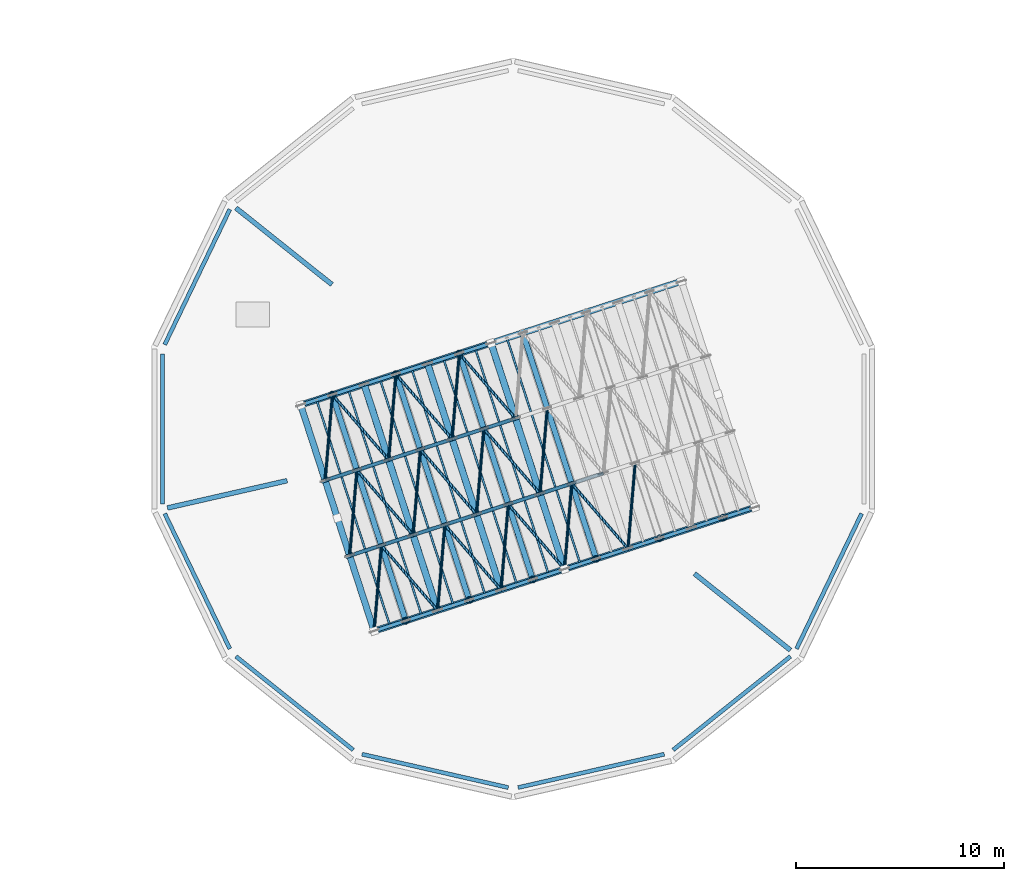
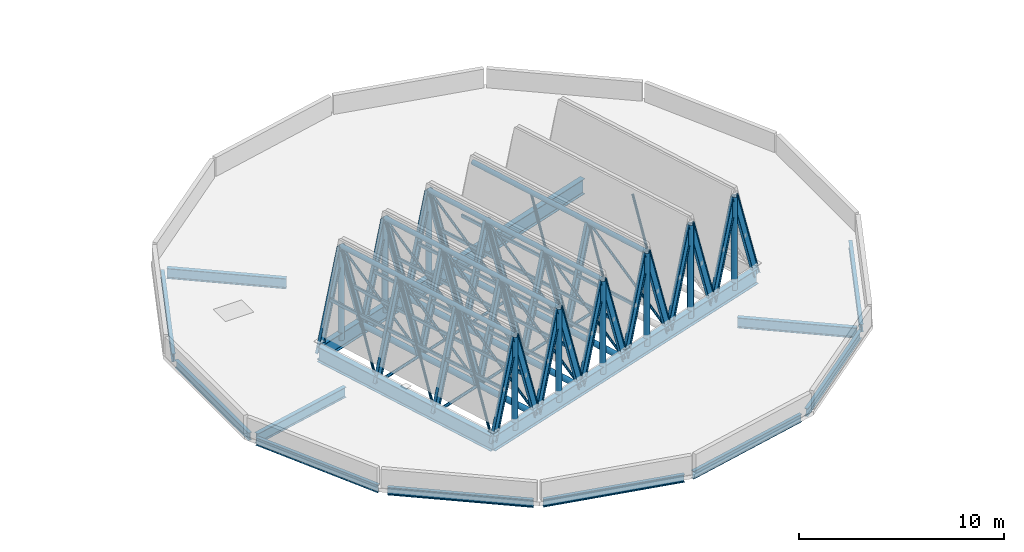
# One storey, part 8 of 51: 83 members, 14 beams.
"""IFC4 building model written with IfcOpenShell, lengths in metres."""

from ifc_helpers import new_model, si_unit, direction, frame, origin, origin_2d, place, context, subcontext, project, spatial, hollow_rectangle, hollow_circle, i_section, extrude, material, material_profile, profile_set, type_object, element, save


model = new_model("IFC4")

# Units and contexts
model_context = context("Model", 3, precision=1e-05, world=origin(), true_north=direction((0.0, 1.0)))
body_context = subcontext(model_context, "Body", "Model", "MODEL_VIEW")
ifc_project = project(units=[si_unit("LENGTHUNIT", "METRE"), si_unit("AREAUNIT", "SQUARE_METRE"), si_unit("VOLUMEUNIT", "CUBIC_METRE"), si_unit("PLANEANGLEUNIT", "RADIAN"), si_unit("MASSUNIT", "GRAM", prefix="KILO")], contexts=[model_context])

# Site, building, storey
site_placement = place(None, origin())
site = spatial("IfcSite", under=ifc_project, at=site_placement, CompositionType="ELEMENT")
building_placement = place(site_placement, origin())
building = spatial("IfcBuilding", under=site, at=building_placement, Name="Wrenclough Park School", CompositionType="ELEMENT")
storey_placement = place(building_placement, frame((0.0, 0.0, 16.800048828125)))
storey = spatial("IfcBuildingStorey", under=building, at=storey_placement, Name="L04", CompositionType="ELEMENT", Elevation=16.800048828125)

# Beams
ifc_material = material(Name="Structural steel S355", Category="steel")
ifc_material_profile_1 = material_profile(ifc_material, i_section(OverallWidth=0.19140625, OverallDepth=0.4599609375, WebThickness=0.010009765625, FlangeThickness=0.01611328125, FilletRadius=0.01025390625, at=origin_2d()), Name="UKB 457x191x82")
ifc_profile_set_1 = profile_set([ifc_material_profile_1], Name="Structural steel S355")
beam_type_1 = type_object("IfcBeamType", Name="STR-BM-UKB457B", PredefinedType="SPANDREL", material=ifc_profile_set_1)
beam_1_placement = place(storey_placement, frame((22.9091796875, 34.0390625, -0.455078125), z_axis=(-0.433866614901, -0.90097711429, 0.0), x_axis=(0.90097711429, -0.433866614901, 0.0)))
element("IfcBeam", 1, at=beam_1_placement, inside=storey, type_object=beam_type_1, Name="D2 L04 outer ring spandrel beam 6", PredefinedType="SPANDREL", context=body_context, shape_type="SweptSolid", body=[
    extrude(i_section(OverallWidth=0.19140625, OverallDepth=0.4599609375, WebThickness=0.010009765625, FlangeThickness=0.01611328125, FilletRadius=0.01025390625, at=origin_2d()), origin(), (0.0, 0.0, 1.0), 7.197021484375),
])
beam_2_placement = place(storey_placement, frame((19.6826171875, 27.098388671875, -0.455078125), z_axis=(0.0, -1.0, 0.0), x_axis=(1.0, 0.0, 0.0)))
element("IfcBeam", 2, at=beam_2_placement, inside=storey, type_object=beam_type_1, Name="D2 L04 outer ring spandrel beam 7", PredefinedType="SPANDREL", context=body_context, shape_type="SweptSolid", body=[
    extrude(i_section(OverallWidth=0.19140625, OverallDepth=0.4599609375, WebThickness=0.010009765625, FlangeThickness=0.01611328125, FilletRadius=0.01025390625, at=origin_2d()), origin(), (0.0, 0.0, 1.0), 7.19677734375),
])
for number, where, z_axis, x_axis, name in (
    (3, (19.78662109375, 19.4453125, -0.455078125), (0.433866614901, -0.90097711429, 0.0), (0.90097711429, 0.433866614901, 0.0), "D2 L04 outer ring spandrel beam 8"),
    (4, (23.200927734375, 12.59521484375, -0.455078125), (0.781834238424, -0.623486345984, 0.0), (0.623486345984, 0.781834238424, 0.0), "D2 L04 outer ring spandrel beam 9"),
    (5, (29.24951171875, 7.90478515625, -0.455078125), (0.974933191805, -0.22249780115, 0.0), (0.22249780115, 0.974933191805, 0.0), "D2 L04 outer ring spandrel beam 10"),
    (6, (36.73388671875, 6.303466796875, -0.455078125), (0.974933191805, 0.22249780115, 0.0), (-0.22249780115, 0.974933191805, 0.0), "D2 L04 outer ring spandrel beam 11"),
    (7, (44.172119140625, 8.10791015625, -0.455078125), (0.781834238424, 0.623486345984, 0.0), (-0.623486345984, 0.781834238424, 0.0), "D2 L04 outer ring spandrel beam 12"),
    (8, (50.0908203125, 12.9609375, -0.455078125), (0.433866614901, 0.90097711429, 0.0), (-0.90097711429, 0.433866614901, 0.0), "D2 L04 outer ring spandrel beam 13"),
):
    element("IfcBeam", number, at=place(storey_placement, frame(where, z_axis=z_axis, x_axis=x_axis)), inside=storey, type_object=beam_type_1, Name=name, PredefinedType="SPANDREL", context=body_context, shape_type="SweptSolid", body=[
        extrude(i_section(OverallWidth=0.19140625, OverallDepth=0.4599609375, WebThickness=0.010009765625, FlangeThickness=0.01611328125, FilletRadius=0.01025390625, at=origin_2d()), origin(), (0.0, 0.0, 1.0), 7.197021484375),
    ])
ifc_material_profile_2 = material_profile(ifc_material, i_section(OverallWidth=0.22900390625, OverallDepth=0.6123046875, WebThickness=0.011962890625, FlangeThickness=0.01953125, FilletRadius=0.0126953125, at=origin_2d()), Name="UKB 610x229x125")
ifc_profile_set_2 = profile_set([ifc_material_profile_2], Name="Structural steel S355")
beam_type_2 = type_object("IfcBeamType", Name="STR-BM-UKB610", PredefinedType="BEAM", material=ifc_profile_set_2)
beam_3_placement = place(storey_placement, frame((23.200927734375, 34.105712890625, -0.53125), z_axis=(0.781834680405, -0.623485791751, 0.0), x_axis=(0.623485791751, 0.781834680405, 0.0)))
element("IfcBeam", 9, at=beam_3_placement, inside=storey, type_object=beam_type_2, Name="D2 L04 radial girder 6", PredefinedType="BEAM", context=body_context, shape_type="SweptSolid", body=[
    extrude(i_section(OverallWidth=0.22900390625, OverallDepth=0.6123046875, WebThickness=0.011962890625, FlangeThickness=0.01953125, FilletRadius=0.0126953125, at=origin_2d()), origin(), (0.0, 0.0, 1.0), 5.88818359375),
])
beam_4_placement = place(storey_placement, frame((19.91650390625, 19.715087890625, -0.53125), z_axis=(0.974932055096, 0.222502781884, 0.0), x_axis=(-0.222502781884, 0.974932055096, 0.0)))
element("IfcBeam", 10, at=beam_4_placement, inside=storey, type_object=beam_type_2, Name="D2 L04 radial girder 8", PredefinedType="BEAM", context=body_context, shape_type="SweptSolid", body=[
    extrude(i_section(OverallWidth=0.22900390625, OverallDepth=0.6123046875, WebThickness=0.011962890625, FlangeThickness=0.01953125, FilletRadius=0.0126953125, at=origin_2d()), origin(), (0.0, 0.0, 1.0), 5.887939453125),
])
beam_5_placement = place(storey_placement, frame((49.799072265625, 12.894287109375, -0.53125), z_axis=(-0.781834680405, 0.623485791751, 0.0), x_axis=(-0.623485791751, -0.781834680405, 0.0)))
element("IfcBeam", 11, at=beam_5_placement, inside=storey, type_object=beam_type_2, Name="D2 L04 radial girder 13", PredefinedType="BEAM", context=body_context, shape_type="SweptSolid", body=[
    extrude(i_section(OverallWidth=0.22900390625, OverallDepth=0.6123046875, WebThickness=0.011962890625, FlangeThickness=0.01953125, FilletRadius=0.0126953125, at=origin_2d()), origin(), (0.0, 0.0, 1.0), 5.88818359375),
])
ifc_material_profile_3 = material_profile(ifc_material, i_section(OverallWidth=0.30419921875, OverallDepth=0.910400390625, WebThickness=0.015869140625, FlangeThickness=0.02392578125, FilletRadius=0.01904296875, at=origin_2d()), Name="UKB 914x305x224")
ifc_profile_set_3 = profile_set([ifc_material_profile_3], Name="Structural steel S355")
beam_type_3 = type_object("IfcBeamType", Name="STR-BM-UKB914", PredefinedType="BEAM", material=ifc_profile_set_3)
beam_6_placement = place(storey_placement, frame((29.831298828125, 13.8125, -0.68017578125), z_axis=(0.951056679828, 0.309016491071, 0.0), x_axis=(-0.309016491071, 0.951056679828, 0.0)))
element("IfcBeam", 12, at=beam_6_placement, inside=storey, type_object=beam_type_3, Name="D2 folded-plate roof ring beam 1", PredefinedType="BEAM", context=body_context, shape_type="SweptSolid", body=[
    extrude(i_section(OverallWidth=0.30419921875, OverallDepth=0.910400390625, WebThickness=0.015869140625, FlangeThickness=0.02392578125, FilletRadius=0.01904296875, at=origin_2d()), origin(), (0.0, 0.0, 1.0), 19.199951171875),
])
beam_7_placement = place(storey_placement, frame((44.568603515625, 30.587646484375, -0.68017578125), z_axis=(-0.951055465571, -0.309020228154, 0.0), x_axis=(0.309020228154, -0.951055465571, 0.0)))
element("IfcBeam", 13, at=beam_7_placement, inside=storey, type_object=beam_type_3, Name="D2 folded-plate roof ring beam 3", PredefinedType="BEAM", context=body_context, shape_type="SweptSolid", body=[
    extrude(i_section(OverallWidth=0.30419921875, OverallDepth=0.910400390625, WebThickness=0.015869140625, FlangeThickness=0.02392578125, FilletRadius=0.01904296875, at=origin_2d()), origin(), (0.0, 0.0, 1.0), 19.19970703125),
])
beam_8_placement = place(storey_placement, frame((26.30859375, 24.654541015625, -0.68017578125), z_axis=(0.309010044294, -0.951058774485, 0.0), x_axis=(0.951058774485, 0.309010044294, 0.0)))
element("IfcBeam", 14, at=beam_8_placement, inside=storey, type_object=beam_type_3, Name="D2 folded-plate roof ring beam 4", PredefinedType="BEAM", context=body_context, shape_type="SweptSolid", body=[
    extrude(i_section(OverallWidth=0.30419921875, OverallDepth=0.910400390625, WebThickness=0.015869140625, FlangeThickness=0.02392578125, FilletRadius=0.01904296875, at=origin_2d()), origin(), (0.0, 0.0, 1.0), 11.39990234375),
])

# Members
ifc_material_profile_4 = material_profile(ifc_material, hollow_circle(Radius=0.06982421875, WallThickness=0.008056640625, at=origin_2d()), Name="CHS 139.7x8.0")
ifc_profile_set_4 = profile_set([ifc_material_profile_4], Name="Structural steel S355")
member_type_1 = type_object("IfcMemberType", Name="STR-MEM-BRACE1", PredefinedType="BRACE", material=ifc_profile_set_4)
for number, where, z_axis, x_axis, name in (
    (15, (29.831298828125, 13.8125, -0.68017578125), (0.050334999877, 0.595247630309, 0.801964242594), (-0.996443741804, 0.084260722878, 0.0), "D2 folded-plane diagonal brace 1.1L"),
    (16, (32.87451171875, 14.80126953125, -0.68017578125), (-0.390583466945, 0.451990177561, 0.801965981035), (-0.756633912407, -0.653838758866, 0.0), "D2 folded-plane diagonal brace 1.1R"),
    (17, (28.656982421875, 17.426513671875, -0.68017578125), (0.050334999877, 0.595247630309, 0.801964242594), (-0.996443741804, 0.084260722878, 0.0), "D2 folded-plane diagonal brace 1.2L"),
    (18, (31.700439453125, 18.415283203125, -0.68017578125), (-0.390613442581, 0.451983932745, 0.801954900861), (-0.756604618734, -0.653872656494, 0.0), "D2 folded-plane diagonal brace 1.2R"),
    (19, (27.482666015625, 21.040283203125, -0.68017578125), (0.050333940057, 0.595270468882, 0.801947356973), (-0.996444162174, 0.084255751546, 0.0), "D2 folded-plane diagonal brace 1.3L"),
    (20, (30.526123046875, 22.029296875, -0.68017578125), (-0.390613442581, 0.451983932745, 0.801954900861), (-0.756604618734, -0.653872656494, 0.0), "D2 folded-plane diagonal brace 1.3R"),
    (21, (32.87451171875, 14.80126953125, -0.68017578125), (0.050370282615, 0.595246570118, 0.801962814221), (-0.996438768471, 0.084319515468, 0.0), "D2 folded-plane diagonal brace 2.1L"),
    (22, (35.91796875, 15.7900390625, -0.68017578125), (-0.390583466945, 0.451990177561, 0.801965981035), (-0.756633912407, -0.653838758866, 0.0), "D2 folded-plane diagonal brace 2.1R"),
    (23, (31.700439453125, 18.415283203125, -0.68017578125), (0.050334999877, 0.595247630309, 0.801964242594), (-0.996443741804, 0.084260722878, 0.0), "D2 folded-plane diagonal brace 2.2L"),
    (24, (34.743896484375, 19.404052734375, -0.68017578125), (-0.390613442581, 0.451983932745, 0.801954900861), (-0.756604618734, -0.653872656494, 0.0), "D2 folded-plane diagonal brace 2.2R"),
    (25, (30.526123046875, 22.029296875, -0.68017578125), (0.050334999877, 0.595247630309, 0.801964242594), (-0.996443741804, 0.084260722878, 0.0), "D2 folded-plane diagonal brace 2.3L"),
):
    element("IfcMember", number, at=place(storey_placement, frame(where, z_axis=z_axis, x_axis=x_axis)), inside=storey, type_object=member_type_1, Name=name, PredefinedType="BRACE", context=body_context, shape_type="SweptSolid", body=[
        extrude(hollow_circle(Radius=0.06982421875, WallThickness=0.008056640625, at=origin_2d()), origin(), (0.0, 0.0, 1.0), 6.902099609375),
    ])
member_1_placement = place(storey_placement, frame((33.569580078125, 23.018310546875, -0.68017578125), z_axis=(-0.390619687456, 0.451955786165, 0.801967721996), x_axis=(-0.756579301186, -0.653901950614, 0.0)))
element("IfcMember", 26, at=member_1_placement, inside=storey, type_object=member_type_1, Name="D2 folded-plane diagonal brace 2.3R", PredefinedType="BRACE", context=body_context, shape_type="SweptSolid", body=[
    extrude(hollow_circle(Radius=0.06982421875, WallThickness=0.008056640625, at=origin_2d()), origin(), (0.0, 0.0, 1.0), 6.90185546875),
])
for number, where, z_axis, x_axis, name in (
    (27, (35.91796875, 15.7900390625, -0.68017578125), (0.050333940057, 0.595270468882, 0.801947356973), (-0.996444162174, 0.084255751546, 0.0), "D2 folded-plane diagonal brace 3.1L"),
    (28, (38.96142578125, 16.779052734375, -0.68017578125), (-0.390613442581, 0.451983932745, 0.801954900861), (-0.756604618734, -0.653872656494, 0.0), "D2 folded-plane diagonal brace 3.1R"),
    (29, (34.743896484375, 19.404052734375, -0.68017578125), (0.050333940057, 0.595270468882, 0.801947356973), (-0.996444162174, 0.084255751546, 0.0), "D2 folded-plane diagonal brace 3.2L"),
    (30, (37.787109375, 20.39306640625, -0.68017578125), (-0.390583466945, 0.451990177561, 0.801965981035), (-0.756633912407, -0.653838758866, 0.0), "D2 folded-plane diagonal brace 3.2R"),
    (31, (33.569580078125, 23.018310546875, -0.68017578125), (0.050334999877, 0.595247630309, 0.801964242594), (-0.996443741804, 0.084260722878, 0.0), "D2 folded-plane diagonal brace 3.3L"),
    (32, (36.61279296875, 24.007080078125, -0.68017578125), (-0.390583466945, 0.451990177561, 0.801965981035), (-0.756633912407, -0.653838758866, 0.0), "D2 folded-plane diagonal brace 3.3R"),
    (33, (38.96142578125, 16.779052734375, -0.68017578125), (0.050334999877, 0.595247630309, 0.801964242594), (-0.996443741804, 0.084260722878, 0.0), "D2 folded-plane diagonal brace 4.1L"),
    (34, (42.0048828125, 17.767822265625, -0.68017578125), (-0.390613442581, 0.451983932745, 0.801954900861), (-0.756604618734, -0.653872656494, 0.0), "D2 folded-plane diagonal brace 4.1R"),
    (35, (37.787109375, 20.39306640625, -0.68017578125), (0.050334999877, 0.595247630309, 0.801964242594), (-0.996443741804, 0.084260722878, 0.0), "D2 folded-plane diagonal brace 4.2L"),
    (36, (42.0048828125, 17.767822265625, -0.68017578125), (0.050334999877, 0.595247630309, 0.801964242594), (-0.996443741804, 0.084260722878, 0.0), "D2 folded-plane diagonal brace 5.1L"),
):
    element("IfcMember", number, at=place(storey_placement, frame(where, z_axis=z_axis, x_axis=x_axis)), inside=storey, type_object=member_type_1, Name=name, PredefinedType="BRACE", context=body_context, shape_type="SweptSolid", body=[
        extrude(hollow_circle(Radius=0.06982421875, WallThickness=0.008056640625, at=origin_2d()), origin(), (0.0, 0.0, 1.0), 6.902099609375),
    ])
ifc_material_profile_5 = material_profile(ifc_material, hollow_circle(Radius=0.084228515625, WallThickness=0.010009765625, at=origin_2d()), Name="CHS 168.3x10.0")
ifc_profile_set_5 = profile_set([ifc_material_profile_5], Name="Structural steel S355")
member_type_2 = type_object("IfcMemberType", Name="STR-MEM-BRACE2", PredefinedType="BRACE", material=ifc_profile_set_5)
member_2_placement = place(storey_placement, frame((28.656982421875, 17.426513671875, -0.68017578125), z_axis=(0.951066581729, 0.308986014439, 0.0), x_axis=(-0.308986014439, 0.951066581729, 0.0)))
element("IfcMember", 37, at=member_2_placement, inside=storey, type_object=member_type_2, Name="D2 bay 1 frame 2 tie member", PredefinedType="BRACE", context=body_context, shape_type="SweptSolid", body=[
    extrude(hollow_circle(Radius=0.084228515625, WallThickness=0.010009765625, at=origin_2d()), origin(), (0.0, 0.0, 1.0), 3.199951171875),
])
member_3_placement = place(storey_placement, frame((27.482666015625, 21.040283203125, -0.68017578125), z_axis=(0.95104415986, 0.309055020985, 0.0), x_axis=(-0.309055020985, 0.95104415986, 0.0)))
element("IfcMember", 38, at=member_3_placement, inside=storey, type_object=member_type_2, Name="D2 bay 1 frame 3 tie member", PredefinedType="BRACE", context=body_context, shape_type="SweptSolid", body=[
    extrude(hollow_circle(Radius=0.084228515625, WallThickness=0.010009765625, at=origin_2d()), origin(), (0.0, 0.0, 1.0), 3.2001953125),
])
member_4_placement = place(storey_placement, frame((31.700439453125, 18.415283203125, -0.68017578125), z_axis=(0.951066581729, 0.308986014439, 0.0), x_axis=(-0.308986014439, 0.951066581729, 0.0)))
element("IfcMember", 39, at=member_4_placement, inside=storey, type_object=member_type_2, Name="D2 bay 2 frame 2 tie member", PredefinedType="BRACE", context=body_context, shape_type="SweptSolid", body=[
    extrude(hollow_circle(Radius=0.084228515625, WallThickness=0.010009765625, at=origin_2d()), origin(), (0.0, 0.0, 1.0), 3.199951171875),
])
member_5_placement = place(storey_placement, frame((30.526123046875, 22.029296875, -0.68017578125), z_axis=(0.95104415986, 0.309055020985, 0.0), x_axis=(-0.309055020985, 0.95104415986, 0.0)))
element("IfcMember", 40, at=member_5_placement, inside=storey, type_object=member_type_2, Name="D2 bay 2 frame 3 tie member", PredefinedType="BRACE", context=body_context, shape_type="SweptSolid", body=[
    extrude(hollow_circle(Radius=0.084228515625, WallThickness=0.010009765625, at=origin_2d()), origin(), (0.0, 0.0, 1.0), 3.2001953125),
])
member_6_placement = place(storey_placement, frame((34.743896484375, 19.404052734375, -0.68017578125), z_axis=(0.951036872128, 0.309077446369, 0.0), x_axis=(-0.309077446369, 0.951036872128, 0.0)))
element("IfcMember", 41, at=member_6_placement, inside=storey, type_object=member_type_2, Name="D2 bay 3 frame 2 tie member", PredefinedType="BRACE", context=body_context, shape_type="SweptSolid", body=[
    extrude(hollow_circle(Radius=0.084228515625, WallThickness=0.010009765625, at=origin_2d()), origin(), (0.0, 0.0, 1.0), 3.199951171875),
])
member_7_placement = place(storey_placement, frame((33.569580078125, 23.018310546875, -0.68017578125), z_axis=(0.951059297078, 0.309008435874, 0.0), x_axis=(-0.309008435874, 0.951059297078, 0.0)))
element("IfcMember", 42, at=member_7_placement, inside=storey, type_object=member_type_2, Name="D2 bay 3 frame 3 tie member", PredefinedType="BRACE", context=body_context, shape_type="SweptSolid", body=[
    extrude(hollow_circle(Radius=0.084228515625, WallThickness=0.010009765625, at=origin_2d()), origin(), (0.0, 0.0, 1.0), 3.19970703125),
])
member_8_placement = place(storey_placement, frame((37.787109375, 20.39306640625, -0.68017578125), z_axis=(0.951066581729, 0.308986014439, 0.0), x_axis=(-0.308986014439, 0.951066581729, 0.0)))
element("IfcMember", 43, at=member_8_placement, inside=storey, type_object=member_type_2, Name="D2 bay 4 frame 2 tie member", PredefinedType="BRACE", context=body_context, shape_type="SweptSolid", body=[
    extrude(hollow_circle(Radius=0.084228515625, WallThickness=0.010009765625, at=origin_2d()), origin(), (0.0, 0.0, 1.0), 3.199951171875),
])
ifc_material_profile_6 = material_profile(ifc_material, hollow_circle(Radius=0.136474609375, WallThickness=0.012451171875, at=origin_2d()), Name="CHS 273.0x12.5")
ifc_profile_set_6 = profile_set([ifc_material_profile_6], Name="Structural steel S355")
member_type_3 = type_object("IfcMemberType", Name="STR-MEM-CHORD1", PredefinedType="CHORD", material=ifc_profile_set_6)
for number, where, z_axis, x_axis, name in (
    (44, (31.352783203125, 14.306884765625, 4.85498046875), (-0.309010044294, 0.951058774485, 0.0), (-0.951058774485, -0.309010044294, 0.0), "D2 folded-plate ridge chord 1"),
    (45, (34.396240234375, 15.295654296875, 4.85498046875), (-0.309010044294, 0.951058774485, 0.0), (-0.951058774485, -0.309010044294, 0.0), "D2 folded-plate ridge chord 2"),
    (46, (37.439697265625, 16.28466796875, 4.85498046875), (-0.309010044294, 0.951058774485, 0.0), (-0.951058774485, -0.309010044294, 0.0), "D2 folded-plate ridge chord 3"),
):
    element("IfcMember", number, at=place(storey_placement, frame(where, z_axis=z_axis, x_axis=x_axis)), inside=storey, type_object=member_type_3, Name=name, PredefinedType="CHORD", context=body_context, shape_type="SweptSolid", body=[
        extrude(hollow_circle(Radius=0.136474609375, WallThickness=0.012451171875, at=origin_2d()), origin(), (0.0, 0.0, 1.0), 11.39990234375),
    ])
member_9_placement = place(storey_placement, frame((40.483154296875, 17.2734375, 4.85498046875), z_axis=(-0.309029415059, 0.951052480481, 0.0), x_axis=(-0.951052480481, -0.309029415059, 0.0)))
element("IfcMember", 47, at=member_9_placement, inside=storey, type_object=member_type_3, Name="D2 folded-plate ridge chord 4", PredefinedType="CHORD", context=body_context, shape_type="SweptSolid", body=[
    extrude(hollow_circle(Radius=0.136474609375, WallThickness=0.012451171875, at=origin_2d()), origin(), (0.0, 0.0, 1.0), 11.400146484375),
])
ifc_material_profile_7 = material_profile(ifc_material, hollow_circle(Radius=0.161865234375, WallThickness=0.01611328125, at=origin_2d()), Name="CHS 323.9x16.0")
ifc_profile_set_7 = profile_set([ifc_material_profile_7], Name="Structural steel S355")
member_type_4 = type_object("IfcMemberType", Name="STR-MEM-CHORD2", PredefinedType="CHORD", material=ifc_profile_set_7)
for number, where, z_axis, x_axis, name in (
    (48, (32.87451171875, 14.80126953125, -0.68017578125), (-0.309010044294, 0.951058774485, 0.0), (-0.951058774485, -0.309010044294, 0.0), "D2 folded-plate valley chord 1"),
    (49, (35.91796875, 15.7900390625, -0.68017578125), (-0.309010044294, 0.951058774485, 0.0), (-0.951058774485, -0.309010044294, 0.0), "D2 folded-plate valley chord 2"),
    (50, (38.96142578125, 16.779052734375, -0.68017578125), (-0.309010044294, 0.951058774485, 0.0), (-0.951058774485, -0.309010044294, 0.0), "D2 folded-plate valley chord 3"),
):
    element("IfcMember", number, at=place(storey_placement, frame(where, z_axis=z_axis, x_axis=x_axis)), inside=storey, type_object=member_type_4, Name=name, PredefinedType="CHORD", context=body_context, shape_type="SweptSolid", body=[
        extrude(hollow_circle(Radius=0.161865234375, WallThickness=0.01611328125, at=origin_2d()), origin(), (0.0, 0.0, 1.0), 11.39990234375),
    ])
for number, where, z_axis, x_axis, name in (
    (51, (31.352783203125, 14.306884765625, -0.68017578125), (0.0, 0.0, 1.0), (1.0, 0.0, 0.0), "D2 folded-plate gable king-post 1S"),
    (52, (27.830078125, 25.14892578125, -0.68017578125), (0.0, 0.0, 1.0), (1.0, 0.0, 0.0), "D2 folded-plate gable king-post 1N"),
    (53, (34.396240234375, 15.295654296875, -0.68017578125), (0.0, 0.0, 1.0), (1.0, 0.0, 0.0), "D2 folded-plate gable king-post 2S"),
    (54, (30.87353515625, 26.1376953125, -0.68017578125), (0.0, 0.0, 1.0), (1.0, 0.0, 0.0), "D2 folded-plate gable king-post 2N"),
    (55, (37.439697265625, 16.28466796875, -0.68017578125), (0.0, 0.0, 1.0), (1.0, 0.0, 0.0), "D2 folded-plate gable king-post 3S"),
    (56, (33.9169921875, 27.126708984375, -0.68017578125), (0.0, 0.0, 1.0), (1.0, 0.0, 0.0), "D2 folded-plate gable king-post 3N"),
    (57, (40.483154296875, 17.2734375, -0.68017578125), (0.0, 0.0, 1.0), (1.0, 0.0, 0.0), "D2 folded-plate gable king-post 4S"),
    (58, (43.526611328125, 18.26220703125, -0.68017578125), (0.0, 0.0, 1.0), (1.0, 0.0, 0.0), "D2 folded-plate gable king-post 5S"),
    (59, (46.56982421875, 19.251220703125, -0.68017578125), (0.0, 0.0, 1.0), (1.0, 0.0, 0.0), "D2 folded-plate gable king-post 6S"),
):
    element("IfcMember", number, at=place(storey_placement, frame(where, z_axis=z_axis, x_axis=x_axis)), inside=storey, type_object=member_type_4, Name=name, PredefinedType="CHORD", context=body_context, shape_type="SweptSolid", body=[
        extrude(hollow_circle(Radius=0.161865234375, WallThickness=0.01611328125, at=origin_2d()), origin(), (0.0, 0.0, 1.0), 5.53515625),
    ])
ifc_material_profile_8 = material_profile(ifc_material, hollow_rectangle(XDim=0.10009765625, YDim=0.199951171875, WallThickness=0.008056640625, InnerFilletRadius=0.008056640625, OuterFilletRadius=0.011962890625, at=origin_2d()), Name="RHS 200x100x8.0")
ifc_profile_set_8 = profile_set([ifc_material_profile_8], Name="Structural steel S355")
member_type_5 = type_object("IfcMemberType", Name="STR-MEM-PURLIN2", PredefinedType="PURLIN", material=ifc_profile_set_8)
member_10_placement = place(storey_placement, frame((30.592041015625, 14.0595703125, 2.08740234375), z_axis=(-0.309010044294, 0.951058774485, 0.0), x_axis=(-0.951058774485, -0.309010044294, 0.0)))
element("IfcMember", 60, at=member_10_placement, inside=storey, type_object=member_type_5, Name="D2 folded-plate purlin 1L", PredefinedType="PURLIN", context=body_context, shape_type="SweptSolid", body=[
    extrude(hollow_rectangle(XDim=0.10009765625, YDim=0.199951171875, WallThickness=0.008056640625, InnerFilletRadius=0.008056640625, OuterFilletRadius=0.011962890625, at=origin_2d()), origin(), (0.0, 0.0, 1.0), 11.39990234375),
])
for number, where, z_axis, x_axis, name in (
    (61, (32.11376953125, 14.55419921875, 2.08740234375), (-0.309016338264, 0.951056729478, 0.0), (-0.951056729478, -0.309016338264, 0.0), "D2 folded-plate purlin 1R"),
    (62, (33.635498046875, 15.048583984375, 2.08740234375), (-0.309016338264, 0.951056729478, 0.0), (-0.951056729478, -0.309016338264, 0.0), "D2 folded-plate purlin 2L"),
):
    element("IfcMember", number, at=place(storey_placement, frame(where, z_axis=z_axis, x_axis=x_axis)), inside=storey, type_object=member_type_5, Name=name, PredefinedType="PURLIN", context=body_context, shape_type="SweptSolid", body=[
        extrude(hollow_rectangle(XDim=0.10009765625, YDim=0.199951171875, WallThickness=0.008056640625, InnerFilletRadius=0.008056640625, OuterFilletRadius=0.011962890625, at=origin_2d()), origin(), (0.0, 0.0, 1.0), 11.399658203125),
    ])
member_11_placement = place(storey_placement, frame((35.1572265625, 15.54296875, 2.08740234375), z_axis=(-0.309010044294, 0.951058774485, 0.0), x_axis=(-0.951058774485, -0.309010044294, 0.0)))
element("IfcMember", 63, at=member_11_placement, inside=storey, type_object=member_type_5, Name="D2 folded-plate purlin 2R", PredefinedType="PURLIN", context=body_context, shape_type="SweptSolid", body=[
    extrude(hollow_rectangle(XDim=0.10009765625, YDim=0.199951171875, WallThickness=0.008056640625, InnerFilletRadius=0.008056640625, OuterFilletRadius=0.011962890625, at=origin_2d()), origin(), (0.0, 0.0, 1.0), 11.39990234375),
])
for number, where, z_axis, x_axis, name in (
    (64, (36.678955078125, 16.037353515625, 2.08740234375), (-0.309029415059, 0.951052480481, 0.0), (-0.951052480481, -0.309029415059, 0.0), "D2 folded-plate purlin 3L"),
    (65, (38.20068359375, 16.53173828125, 2.08740234375), (-0.309029415059, 0.951052480481, 0.0), (-0.951052480481, -0.309029415059, 0.0), "D2 folded-plate purlin 3R"),
):
    element("IfcMember", number, at=place(storey_placement, frame(where, z_axis=z_axis, x_axis=x_axis)), inside=storey, type_object=member_type_5, Name=name, PredefinedType="PURLIN", context=body_context, shape_type="SweptSolid", body=[
        extrude(hollow_rectangle(XDim=0.10009765625, YDim=0.199951171875, WallThickness=0.008056640625, InnerFilletRadius=0.008056640625, OuterFilletRadius=0.011962890625, at=origin_2d()), origin(), (0.0, 0.0, 1.0), 11.400146484375),
    ])
member_12_placement = place(storey_placement, frame((39.72216796875, 17.026123046875, 2.08740234375), z_axis=(-0.309010044294, 0.951058774485, 0.0), x_axis=(-0.951058774485, -0.309010044294, 0.0)))
element("IfcMember", 66, at=member_12_placement, inside=storey, type_object=member_type_5, Name="D2 folded-plate purlin 4L", PredefinedType="PURLIN", context=body_context, shape_type="SweptSolid", body=[
    extrude(hollow_rectangle(XDim=0.10009765625, YDim=0.199951171875, WallThickness=0.008056640625, InnerFilletRadius=0.008056640625, OuterFilletRadius=0.011962890625, at=origin_2d()), origin(), (0.0, 0.0, 1.0), 11.39990234375),
])
ifc_material_profile_9 = material_profile(ifc_material, i_section(OverallWidth=0.177978515625, OverallDepth=0.406494140625, WebThickness=0.0078125, FlangeThickness=0.0126953125, FilletRadius=0.01025390625, at=origin_2d()), Name="UKB 406x178x60")
ifc_profile_set_9 = profile_set([ifc_material_profile_9], Name="Structural steel S355")
member_type_6 = type_object("IfcMemberType", Name="STR-MEM-RAFTER2", PredefinedType="RAFTER", material=ifc_profile_set_9)
for number, where, z_axis, x_axis, name in (
    (67, (29.831298828125, 13.8125, -0.68017578125), (0.264068262912, 0.085805236264, 0.960679662506), (-0.309030860391, 0.951052010842, 0.0), "D2 bay 1 frame 1 west rafter"),
    (68, (31.352783203125, 14.306884765625, 4.85498046875), (0.264107680453, 0.085804276098, -0.96066891244), (-0.308986014439, 0.951066581729, 0.0), "D2 bay 1 frame 1 east rafter"),
    (69, (28.656982421875, 17.426513671875, -0.68017578125), (0.264107680453, 0.085804276098, 0.96066891244), (-0.308986014439, 0.951066581729, 0.0), "D2 bay 1 frame 2 west rafter"),
    (70, (30.1787109375, 17.9208984375, 4.85498046875), (0.264107680453, 0.085804276098, -0.96066891244), (-0.308986014439, 0.951066581729, 0.0), "D2 bay 1 frame 2 east rafter"),
    (71, (27.482666015625, 21.040283203125, -0.68017578125), (0.264106719995, 0.085846336388, 0.960665418854), (-0.309124022649, 0.951021734043, 0.0), "D2 bay 1 frame 3 west rafter"),
    (72, (29.00439453125, 21.534912109375, 4.85498046875), (0.264107680453, 0.085804276098, -0.96066891244), (-0.308986014439, 0.951066581729, 0.0), "D2 bay 1 frame 3 east rafter"),
    (73, (26.30859375, 24.654541015625, -0.68017578125), (0.264068262912, 0.085805236264, 0.960679662506), (-0.309030860391, 0.951052010842, 0.0), "D2 bay 1 frame 4 west rafter"),
    (74, (27.830078125, 25.14892578125, 4.85498046875), (0.264107680453, 0.085804276098, -0.96066891244), (-0.308986014439, 0.951066581729, 0.0), "D2 bay 1 frame 4 east rafter"),
    (75, (32.87451171875, 14.80126953125, -0.68017578125), (0.264107680453, 0.085804276098, 0.96066891244), (-0.308986014439, 0.951066581729, 0.0), "D2 bay 2 frame 1 west rafter"),
    (76, (34.396240234375, 15.295654296875, 4.85498046875), (0.264107680453, 0.085804276098, -0.96066891244), (-0.308986014439, 0.951066581729, 0.0), "D2 bay 2 frame 1 east rafter"),
    (77, (31.700439453125, 18.415283203125, -0.68017578125), (0.264107680453, 0.085804276098, 0.96066891244), (-0.308986014439, 0.951066581729, 0.0), "D2 bay 2 frame 2 west rafter"),
    (78, (33.22216796875, 18.90966796875, 4.85498046875), (0.264107680453, 0.085804276098, -0.96066891244), (-0.308986014439, 0.951066581729, 0.0), "D2 bay 2 frame 2 east rafter"),
    (79, (30.526123046875, 22.029296875, -0.68017578125), (0.264107680453, 0.085804276098, 0.96066891244), (-0.308986014439, 0.951066581729, 0.0), "D2 bay 2 frame 3 west rafter"),
    (80, (32.0478515625, 22.523681640625, 4.85498046875), (0.264106719995, 0.085846336388, -0.960665418854), (-0.309124022649, 0.951021734043, 0.0), "D2 bay 2 frame 3 east rafter"),
    (81, (29.351806640625, 25.643310546875, -0.68017578125), (0.264107680453, 0.085804276098, 0.96066891244), (-0.308986014439, 0.951066581729, 0.0), "D2 bay 2 frame 4 west rafter"),
    (82, (30.87353515625, 26.1376953125, 4.85498046875), (0.264107680453, 0.085804276098, -0.96066891244), (-0.308986014439, 0.951066581729, 0.0), "D2 bay 2 frame 4 east rafter"),
    (83, (35.91796875, 15.7900390625, -0.68017578125), (0.264106719995, 0.085846336388, 0.960665418854), (-0.309124022649, 0.951021734043, 0.0), "D2 bay 3 frame 1 west rafter"),
    (84, (37.439697265625, 16.28466796875, 4.85498046875), (0.264107680453, 0.085804276098, -0.96066891244), (-0.308986014439, 0.951066581729, 0.0), "D2 bay 3 frame 1 east rafter"),
    (85, (34.743896484375, 19.404052734375, -0.68017578125), (0.264067302575, 0.085847297018, 0.960676168803), (-0.309168884398, 0.951007150825, 0.0), "D2 bay 3 frame 2 west rafter"),
    (86, (36.265380859375, 19.898681640625, 4.85498046875), (0.264107680453, 0.085804276098, -0.96066891244), (-0.308986014439, 0.951066581729, 0.0), "D2 bay 3 frame 2 east rafter"),
    (87, (33.569580078125, 23.018310546875, -0.68017578125), (0.264107680453, 0.085804276098, 0.96066891244), (-0.308986014439, 0.951066581729, 0.0), "D2 bay 3 frame 3 west rafter"),
    (88, (35.09130859375, 23.5126953125, 4.85498046875), (0.264068262912, 0.085805236264, -0.960679662506), (-0.309030860391, 0.951052010842, 0.0), "D2 bay 3 frame 3 east rafter"),
    (89, (32.395263671875, 26.632080078125, -0.68017578125), (0.264106719995, 0.085846336388, 0.960665418854), (-0.309124022649, 0.951021734043, 0.0), "D2 bay 3 frame 4 west rafter"),
    (90, (33.9169921875, 27.126708984375, 4.85498046875), (0.264107680453, 0.085804276098, -0.96066891244), (-0.308986014439, 0.951066581729, 0.0), "D2 bay 3 frame 4 east rafter"),
    (91, (38.96142578125, 16.779052734375, -0.68017578125), (0.264107680453, 0.085804276098, 0.96066891244), (-0.308986014439, 0.951066581729, 0.0), "D2 bay 4 frame 1 west rafter"),
    (92, (40.483154296875, 17.2734375, 4.85498046875), (0.264107680453, 0.085804276098, -0.96066891244), (-0.308986014439, 0.951066581729, 0.0), "D2 bay 4 frame 1 east rafter"),
    (93, (37.787109375, 20.39306640625, -0.68017578125), (0.264107680453, 0.085804276098, 0.96066891244), (-0.308986014439, 0.951066581729, 0.0), "D2 bay 4 frame 2 west rafter"),
    (94, (42.0048828125, 17.767822265625, -0.68017578125), (0.264107680453, 0.085804276098, 0.96066891244), (-0.308986014439, 0.951066581729, 0.0), "D2 bay 5 frame 1 west rafter"),
    (95, (43.526611328125, 18.26220703125, 4.85498046875), (0.264068262912, 0.085805236264, -0.960679662506), (-0.309030860391, 0.951052010842, 0.0), "D2 bay 5 frame 1 east rafter"),
    (96, (45.048095703125, 18.756591796875, -0.68017578125), (0.264106719995, 0.085846336388, 0.960665418854), (-0.309124022649, 0.951021734043, 0.0), "D2 bay 6 frame 1 west rafter"),
    (97, (46.56982421875, 19.251220703125, 4.85498046875), (0.264107680453, 0.085804276098, -0.96066891244), (-0.308986014439, 0.951066581729, 0.0), "D2 bay 6 frame 1 east rafter"),
):
    element("IfcMember", number, at=place(storey_placement, frame(where, z_axis=z_axis, x_axis=x_axis)), inside=storey, type_object=member_type_6, Name=name, PredefinedType="RAFTER", context=body_context, shape_type="SweptSolid", body=[
        extrude(i_section(OverallWidth=0.177978515625, OverallDepth=0.406494140625, WebThickness=0.0078125, FlangeThickness=0.0126953125, FilletRadius=0.01025390625, at=origin_2d()), origin(), (0.0, 0.0, 1.0), 5.76171875),
    ])

save(model, "model.ifc")
